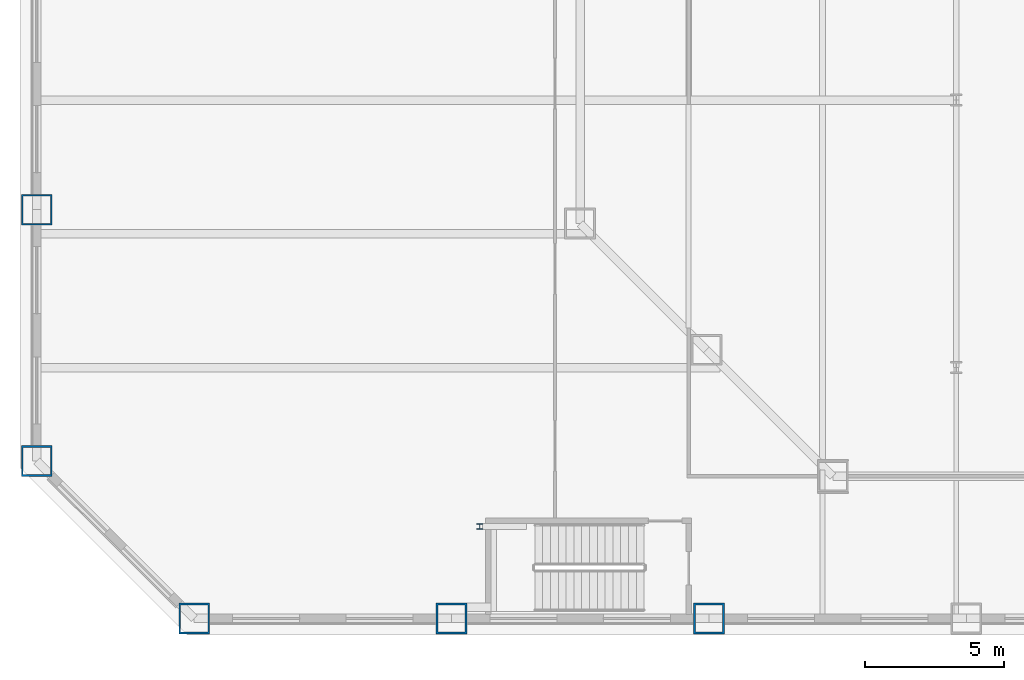
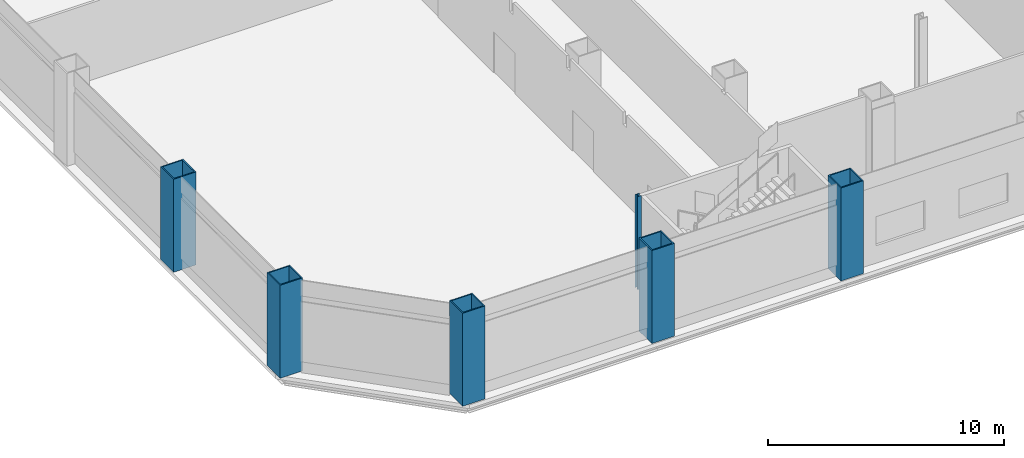
# One storey, part 1 of 26: 6 columns.
"""IFC4 building model written with IfcOpenShell, lengths in metres."""

from ifc_helpers import new_model, si_unit, direction, frame, origin, origin_2d, place, context, subcontext, project, spatial, hollow_rectangle, i_section, extrude, material, material_profile, profile_set, type_object, element, save


model = new_model("IFC4")

# Units and contexts
model_context = context("Model", 3, precision=1e-05, world=origin(), true_north=direction((0.0, 1.0)))
body_context = subcontext(model_context, "Body", "Model", "MODEL_VIEW")
ifc_project = project(units=[si_unit("LENGTHUNIT", "METRE"), si_unit("AREAUNIT", "SQUARE_METRE"), si_unit("VOLUMEUNIT", "CUBIC_METRE"), si_unit("PLANEANGLEUNIT", "RADIAN"), si_unit("MASSUNIT", "GRAM", prefix="KILO")], contexts=[model_context])

# Site, building, storey
site_placement = place(None, origin())
site = spatial("IfcSite", under=ifc_project, at=site_placement, CompositionType="ELEMENT")
building_placement = place(site_placement, origin())
building = spatial("IfcBuilding", under=site, at=building_placement, Name="Cairn Pilgrim Tower", CompositionType="ELEMENT")
storey_placement = place(building_placement, frame((0.0, 0.0, 21.0)))
storey = spatial("IfcBuildingStorey", under=building, at=storey_placement, Name="L03", CompositionType="ELEMENT", Elevation=21.0)

# Columns
ifc_material_1 = material(Name="Structural steel S460M", Category="steel")
ifc_material_profile_1 = material_profile(ifc_material_1, hollow_rectangle(XDim=1.10009765625, YDim=1.10009765625, WallThickness=0.06005859375, at=origin_2d()), Name="BOX 1100x1100x60")
ifc_profile_set_1 = profile_set([ifc_material_profile_1], Name="Structural steel S460M")
column_type_1 = type_object("IfcColumnType", Name="PILOTIS CFT 1100", PredefinedType="COLUMN", material=ifc_profile_set_1)
for number, where, z_axis, x_axis, name in (
    (1, (-41.75146484375, -28.199951171875, 0.0), (0.0, 0.0, 1.0), (1.0, 0.0, 0.0), "PILOTIS PL-S1"),
    (2, (-32.513671875, -28.199951171875, 0.0), (0.0, 0.0, 1.0), (1.0, 0.0, 0.0), "PILOTIS PL-S2"),
    (3, (-23.275634765625, -28.199951171875, 0.0), (0.0, 0.0, 1.0), (1.0, 0.0, 0.0), "PILOTIS PL-S3"),
    (4, (-47.39990234375, -13.531005859375, 0.0), (0.0, 0.0, 1.0), (1.0, 0.0, 0.0), "PILOTIS PL-W5"),
    (5, (-47.39990234375, -22.551513671875, 0.0), (0.0, 0.0, 1.0), (1.0, 0.0, 0.0), "PILOTIS PL-SW1"),
):
    element("IfcColumn", number, at=place(storey_placement, frame(where, z_axis=z_axis, x_axis=x_axis)), inside=storey, type_object=column_type_1, Name=name, PredefinedType="COLUMN", context=body_context, shape_type="SweptSolid", body=[
        extrude(hollow_rectangle(XDim=1.10009765625, YDim=1.10009765625, WallThickness=0.06005859375, at=origin_2d()), origin(), (0.0, 0.0, 1.0), 4.800048828125),
    ])
ifc_material_2 = material(Name="Structural steel S355J2", Category="steel")
ifc_material_profile_2 = material_profile(ifc_material_2, i_section(OverallWidth=0.199951171875, OverallDepth=0.199951171875, WebThickness=0.009033203125, FlangeThickness=0.014892578125, FilletRadius=0.01806640625, at=origin_2d()), Name="HE 200 B")
ifc_profile_set_2 = profile_set([ifc_material_profile_2], Name="Structural steel S355J2")
column_type_2 = type_object("IfcColumnType", Name="STAIR POST HE 200 B", PredefinedType="COLUMN", material=ifc_profile_set_2)
column_placement = place(storey_placement, frame((-31.5, -24.89990234375, 0.0), z_axis=(0.0, 0.0, 1.0), x_axis=(1.0, 0.0, 0.0)))
element("IfcColumn", 6, at=column_placement, inside=storey, type_object=column_type_2, Name="STAIR POST LP-HS-W", PredefinedType="COLUMN", context=body_context, shape_type="SweptSolid", body=[
    extrude(i_section(OverallWidth=0.199951171875, OverallDepth=0.199951171875, WebThickness=0.009033203125, FlangeThickness=0.014892578125, FilletRadius=0.01806640625, at=origin_2d()), origin(), (0.0, 0.0, 1.0), 4.800048828125),
])

save(model, "model.ifc")
